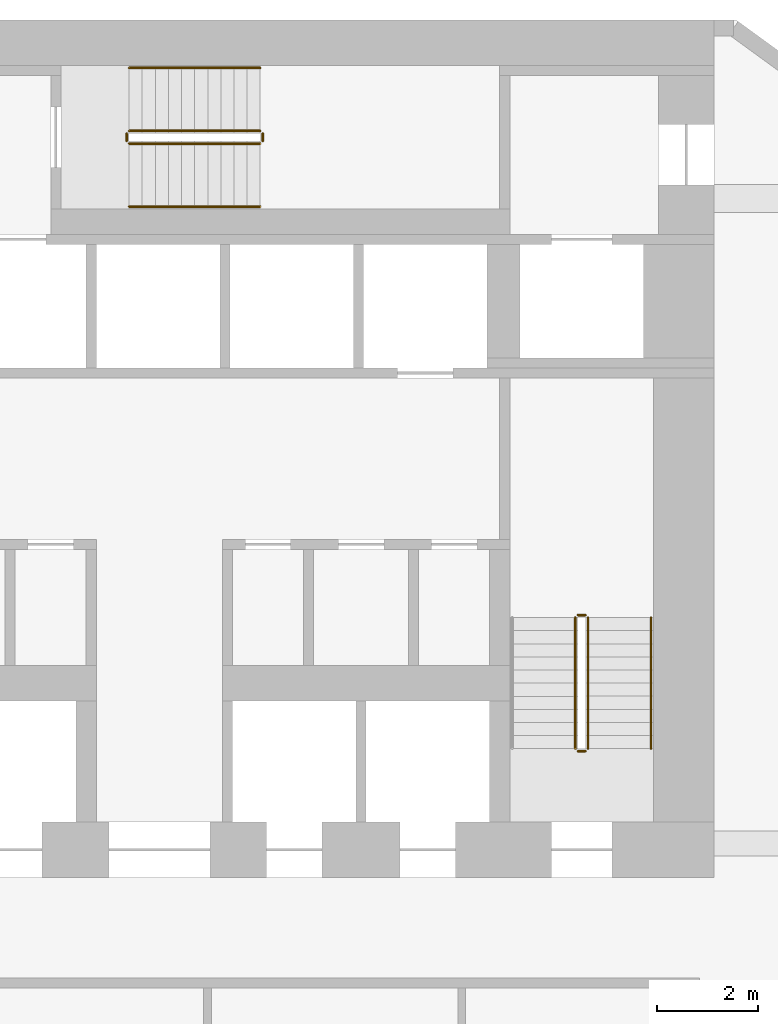
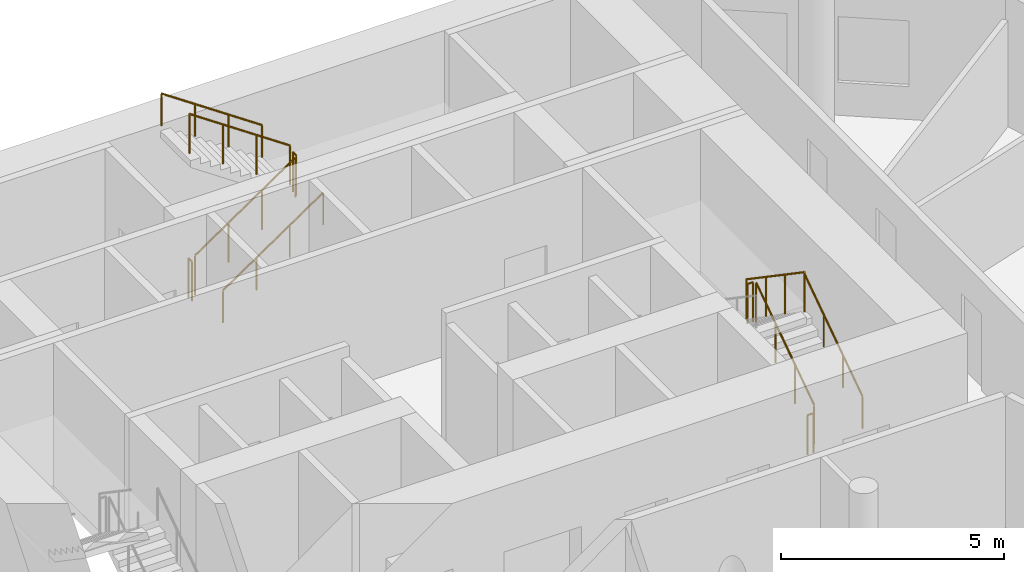
# One storey, part 9 of 9: 11 railings.
"""IFC4 building model written with IfcOpenShell, lengths in metres."""

from ifc_helpers import new_model, si_unit, direction, frame, origin, origin_2d, place, context, subcontext, project, spatial, circle, extrude, material, type_object, element, save


model = new_model("IFC4")

# Units and contexts
model_context = context("Model", 3, precision=1e-05, world=origin(), true_north=direction((0.0, 1.0)))
body_context = subcontext(model_context, "Body", "Model", "MODEL_VIEW")
ifc_project = project(units=[si_unit("LENGTHUNIT", "METRE"), si_unit("AREAUNIT", "SQUARE_METRE"), si_unit("VOLUMEUNIT", "CUBIC_METRE"), si_unit("PLANEANGLEUNIT", "RADIAN"), si_unit("MASSUNIT", "GRAM", prefix="KILO")], contexts=[model_context])

# Site, building, storey
site_placement = place(None, origin())
site = spatial("IfcSite", under=ifc_project, at=site_placement, CompositionType="ELEMENT")
building_placement = place(site_placement, origin())
building = spatial("IfcBuilding", under=site, at=building_placement, Name="White Candle Pilgrim Tower", CompositionType="ELEMENT")
storey_placement = place(building_placement, frame((0.0, 0.0, 129.800048828125)))
storey = spatial("IfcBuildingStorey", under=building, at=storey_placement, Name="L29", CompositionType="ELEMENT", Elevation=129.800048828125)

# Railings
ifc_material = material(Name="Stainless steel", Category="steel")
railing_type_1 = type_object("IfcRailingType", Name="Stair guard stainless steel 1100 mm", PredefinedType="GUARDRAIL", material=ifc_material)
railing_1_placement = place(storey_placement, frame((78.5, 73.550048828125, 0.17724609375)))
element("IfcRailing", 1, at=railing_1_placement, inside=storey, type_object=railing_type_1, Name="L29 ST2 stair guard 1", PredefinedType="GUARDRAIL", context=body_context, shape_type="SweptSolid", body=[
    extrude(circle(Radius=0.02392578125, at=origin_2d()), frame((0.0, 0.0, 1.076171875), z_axis=(0.0, 0.826215852431, 0.563353676824), x_axis=(-1.0, 0.0, 0.0)), (0.0, 0.0, 1.0), 3.146728515625),
    extrude(circle(Radius=0.02099609375, at=origin_2d()), origin(), (0.0, 0.0, 1.0), 1.052001953125),
    extrude(circle(Radius=0.02099609375, at=origin_2d()), frame((0.0, 0.86669921875, 0.5908203125)), (0.0, 0.0, 1.0), 1.052001953125),
    extrude(circle(Radius=0.02099609375, at=origin_2d()), frame((0.0, 1.733154296875, 1.181884765625)), (0.0, 0.0, 1.0), 1.052001953125),
    extrude(circle(Radius=0.02099609375, at=origin_2d()), frame((0.0, 2.599853515625, 1.772705078125)), (0.0, 0.0, 1.0), 1.052001953125),
])
railing_2_placement = place(storey_placement, frame((78.449951171875, 76.199951171875, 1.949951171875)))
element("IfcRailing", 2, at=railing_2_placement, inside=storey, type_object=railing_type_1, Name="L29 ST2 stair guard 2", PredefinedType="GUARDRAIL", context=body_context, shape_type="SweptSolid", body=[
    extrude(circle(Radius=0.02392578125, at=origin_2d()), frame((0.0, 0.0, 1.076171875), z_axis=(-1.0, 0.0, 0.0), x_axis=(0.0, -1.0, 0.0)), (0.0, 0.0, 1.0), 0.14990234375),
    extrude(circle(Radius=0.02099609375, at=origin_2d()), origin(), (0.0, 0.0, 1.0), 1.052001953125),
    extrude(circle(Radius=0.02099609375, at=origin_2d()), frame((-0.14990234375, 0.0, 0.0)), (0.0, 0.0, 1.0), 1.052001953125),
])
railing_3_placement = place(storey_placement, frame((78.25, 76.14990234375, 2.127197265625)))
element("IfcRailing", 3, at=railing_3_placement, inside=storey, type_object=railing_type_1, Name="L29 ST2 stair guard 3", PredefinedType="GUARDRAIL", context=body_context, shape_type="SweptSolid", body=[
    extrude(circle(Radius=0.02392578125, at=origin_2d()), frame((0.0, 0.0, 1.076171875), z_axis=(0.0, -0.826215852431, 0.563353676824), x_axis=(1.0, 0.0, 0.0)), (0.0, 0.0, 1.0), 3.146728515625),
    extrude(circle(Radius=0.02099609375, at=origin_2d()), origin(), (0.0, 0.0, 1.0), 1.052001953125),
    extrude(circle(Radius=0.02099609375, at=origin_2d()), frame((0.0, -0.86669921875, 0.5908203125)), (0.0, 0.0, 1.0), 1.052001953125),
    extrude(circle(Radius=0.02099609375, at=origin_2d()), frame((0.0, -1.733154296875, 1.181884765625)), (0.0, 0.0, 1.0), 1.052001953125),
    extrude(circle(Radius=0.02099609375, at=origin_2d()), frame((0.0, -2.599853515625, 1.772705078125)), (0.0, 0.0, 1.0), 1.052001953125),
])
railing_4_placement = place(storey_placement, frame((78.449951171875, 73.5, 0.0)))
element("IfcRailing", 4, at=railing_4_placement, inside=storey, type_object=railing_type_1, Name="L29 ST2 stair guard 4", PredefinedType="GUARDRAIL", context=body_context, shape_type="SweptSolid", body=[
    extrude(circle(Radius=0.02392578125, at=origin_2d()), frame((0.0, 0.0, 1.076171875), z_axis=(-1.0, 0.0, 0.0), x_axis=(0.0, -1.0, 0.0)), (0.0, 0.0, 1.0), 0.14990234375),
    extrude(circle(Radius=0.02099609375, at=origin_2d()), origin(), (0.0, 0.0, 1.0), 1.052001953125),
    extrude(circle(Radius=0.02099609375, at=origin_2d()), frame((-0.14990234375, 0.0, 0.0)), (0.0, 0.0, 1.0), 1.052001953125),
])
railing_5_placement = place(storey_placement, frame((69.39990234375, 85.550048828125, 0.17724609375)))
element("IfcRailing", 5, at=railing_5_placement, inside=storey, type_object=railing_type_1, Name="L29 ST3 stair guard 1", PredefinedType="GUARDRAIL", context=body_context, shape_type="SweptSolid", body=[
    extrude(circle(Radius=0.02392578125, at=origin_2d()), frame((0.0, 0.0, 1.076171875), z_axis=(0.826240473404, 0.0, 0.563317565952), x_axis=(0.0, 1.0, 0.0)), (0.0, 0.0, 1.0), 3.14697265625),
    extrude(circle(Radius=0.02099609375, at=origin_2d()), origin(), (0.0, 0.0, 1.0), 1.052001953125),
    extrude(circle(Radius=0.02099609375, at=origin_2d()), frame((0.86669921875, 0.0, 0.5908203125)), (0.0, 0.0, 1.0), 1.052001953125),
    extrude(circle(Radius=0.02099609375, at=origin_2d()), frame((1.7333984375, 0.0, 1.181884765625)), (0.0, 0.0, 1.0), 1.052001953125),
    extrude(circle(Radius=0.02099609375, at=origin_2d()), frame((2.60009765625, 0.0, 1.772705078125)), (0.0, 0.0, 1.0), 1.052001953125),
])
railing_6_placement = place(storey_placement, frame((72.050048828125, 85.60009765625, 1.949951171875)))
element("IfcRailing", 6, at=railing_6_placement, inside=storey, type_object=railing_type_1, Name="L29 ST3 stair guard 2", PredefinedType="GUARDRAIL", context=body_context, shape_type="SweptSolid", body=[
    extrude(circle(Radius=0.02392578125, at=origin_2d()), frame((0.0, 0.0, 1.076171875), z_axis=(0.0, 1.0, 0.0), x_axis=(-1.0, 0.0, 0.0)), (0.0, 0.0, 1.0), 0.14990234375),
    extrude(circle(Radius=0.02099609375, at=origin_2d()), origin(), (0.0, 0.0, 1.0), 1.052001953125),
    extrude(circle(Radius=0.02099609375, at=origin_2d()), frame((0.0, 0.14990234375, 0.0)), (0.0, 0.0, 1.0), 1.052001953125),
])
railing_7_placement = place(storey_placement, frame((72.0, 85.800048828125, 2.127197265625)))
element("IfcRailing", 7, at=railing_7_placement, inside=storey, type_object=railing_type_1, Name="L29 ST3 stair guard 3", PredefinedType="GUARDRAIL", context=body_context, shape_type="SweptSolid", body=[
    extrude(circle(Radius=0.02392578125, at=origin_2d()), frame((0.0, 0.0, 1.076171875), z_axis=(-0.826240473404, 0.0, 0.563317565952), x_axis=(0.0, -1.0, 0.0)), (0.0, 0.0, 1.0), 3.14697265625),
    extrude(circle(Radius=0.02099609375, at=origin_2d()), origin(), (0.0, 0.0, 1.0), 1.052001953125),
    extrude(circle(Radius=0.02099609375, at=origin_2d()), frame((-0.86669921875, 0.0, 0.5908203125)), (0.0, 0.0, 1.0), 1.052001953125),
    extrude(circle(Radius=0.02099609375, at=origin_2d()), frame((-1.7333984375, 0.0, 1.181884765625)), (0.0, 0.0, 1.0), 1.052001953125),
    extrude(circle(Radius=0.02099609375, at=origin_2d()), frame((-2.60009765625, 0.0, 1.772705078125)), (0.0, 0.0, 1.0), 1.052001953125),
])
railing_8_placement = place(storey_placement, frame((69.35009765625, 85.60009765625, 0.0)))
element("IfcRailing", 8, at=railing_8_placement, inside=storey, type_object=railing_type_1, Name="L29 ST3 stair guard 4", PredefinedType="GUARDRAIL", context=body_context, shape_type="SweptSolid", body=[
    extrude(circle(Radius=0.02392578125, at=origin_2d()), frame((0.0, 0.0, 1.076171875), z_axis=(0.0, 1.0, 0.0), x_axis=(-1.0, 0.0, 0.0)), (0.0, 0.0, 1.0), 0.14990234375),
    extrude(circle(Radius=0.02099609375, at=origin_2d()), origin(), (0.0, 0.0, 1.0), 1.052001953125),
    extrude(circle(Radius=0.02099609375, at=origin_2d()), frame((0.0, 0.14990234375, 0.0)), (0.0, 0.0, 1.0), 1.052001953125),
])
railing_type_2 = type_object("IfcRailingType", Name="Stair handrail stainless steel", PredefinedType="HANDRAIL", material=ifc_material)
railing_9_placement = place(storey_placement, frame((79.75, 73.550048828125, 0.17724609375)))
element("IfcRailing", 9, at=railing_9_placement, inside=storey, type_object=railing_type_2, Name="L29 ST2 stair handrail 1", PredefinedType="HANDRAIL", context=body_context, shape_type="SweptSolid", body=[
    extrude(circle(Radius=0.02392578125, at=origin_2d()), frame((0.0, 0.0, 0.8759765625), z_axis=(0.0, 0.826215852431, 0.563353676824), x_axis=(-1.0, 0.0, 0.0)), (0.0, 0.0, 1.0), 3.146728515625),
    extrude(circle(Radius=0.02099609375, at=origin_2d()), origin(), (0.0, 0.0, 1.0), 0.851806640625),
    extrude(circle(Radius=0.02099609375, at=origin_2d()), frame((0.0, 0.86669921875, 0.5908203125)), (0.0, 0.0, 1.0), 0.851806640625),
    extrude(circle(Radius=0.02099609375, at=origin_2d()), frame((0.0, 1.733154296875, 1.181884765625)), (0.0, 0.0, 1.0), 0.851806640625),
    extrude(circle(Radius=0.02099609375, at=origin_2d()), frame((0.0, 2.599853515625, 1.772705078125)), (0.0, 0.0, 1.0), 0.851806640625),
])
railing_10_placement = place(storey_placement, frame((69.39990234375, 84.300048828125, 0.17724609375)))
element("IfcRailing", 10, at=railing_10_placement, inside=storey, type_object=railing_type_2, Name="L29 ST3 stair handrail 1", PredefinedType="HANDRAIL", context=body_context, shape_type="SweptSolid", body=[
    extrude(circle(Radius=0.02392578125, at=origin_2d()), frame((0.0, 0.0, 0.8759765625), z_axis=(0.826240473404, 0.0, 0.563317565952), x_axis=(0.0, 1.0, 0.0)), (0.0, 0.0, 1.0), 3.14697265625),
    extrude(circle(Radius=0.02099609375, at=origin_2d()), origin(), (0.0, 0.0, 1.0), 0.851806640625),
    extrude(circle(Radius=0.02099609375, at=origin_2d()), frame((0.86669921875, 0.0, 0.5908203125)), (0.0, 0.0, 1.0), 0.851806640625),
    extrude(circle(Radius=0.02099609375, at=origin_2d()), frame((1.7333984375, 0.0, 1.181884765625)), (0.0, 0.0, 1.0), 0.851806640625),
    extrude(circle(Radius=0.02099609375, at=origin_2d()), frame((2.60009765625, 0.0, 1.772705078125)), (0.0, 0.0, 1.0), 0.851806640625),
])
railing_11_placement = place(storey_placement, frame((72.0, 87.050048828125, 2.127197265625)))
element("IfcRailing", 11, at=railing_11_placement, inside=storey, type_object=railing_type_2, Name="L29 ST3 stair handrail 2", PredefinedType="HANDRAIL", context=body_context, shape_type="SweptSolid", body=[
    extrude(circle(Radius=0.02392578125, at=origin_2d()), frame((0.0, 0.0, 0.8759765625), z_axis=(-0.826240473404, 0.0, 0.563317565952), x_axis=(0.0, -1.0, 0.0)), (0.0, 0.0, 1.0), 3.14697265625),
    extrude(circle(Radius=0.02099609375, at=origin_2d()), origin(), (0.0, 0.0, 1.0), 0.851806640625),
    extrude(circle(Radius=0.02099609375, at=origin_2d()), frame((-0.86669921875, 0.0, 0.5908203125)), (0.0, 0.0, 1.0), 0.851806640625),
    extrude(circle(Radius=0.02099609375, at=origin_2d()), frame((-1.7333984375, 0.0, 1.181884765625)), (0.0, 0.0, 1.0), 0.851806640625),
    extrude(circle(Radius=0.02099609375, at=origin_2d()), frame((-2.60009765625, 0.0, 1.772705078125)), (0.0, 0.0, 1.0), 0.851806640625),
])

save(model, "model.ifc")
